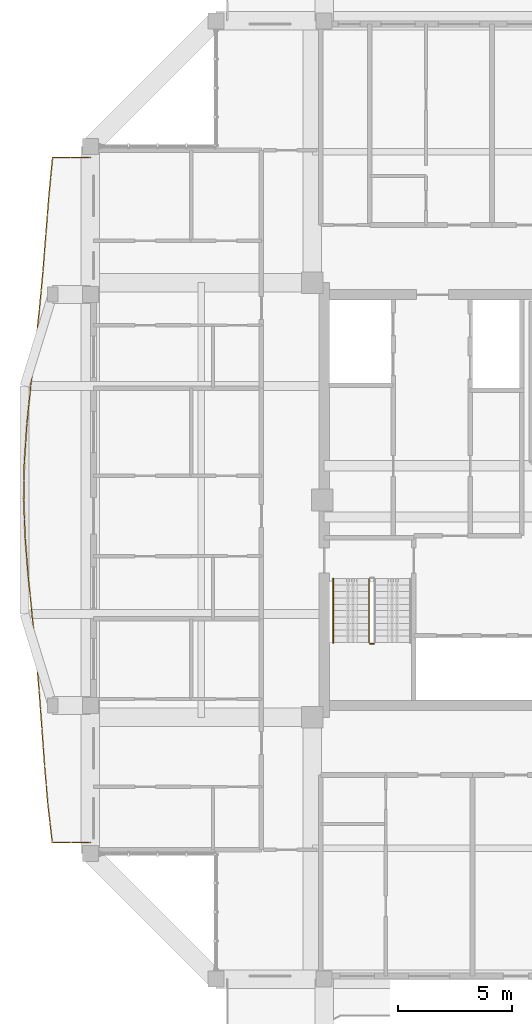
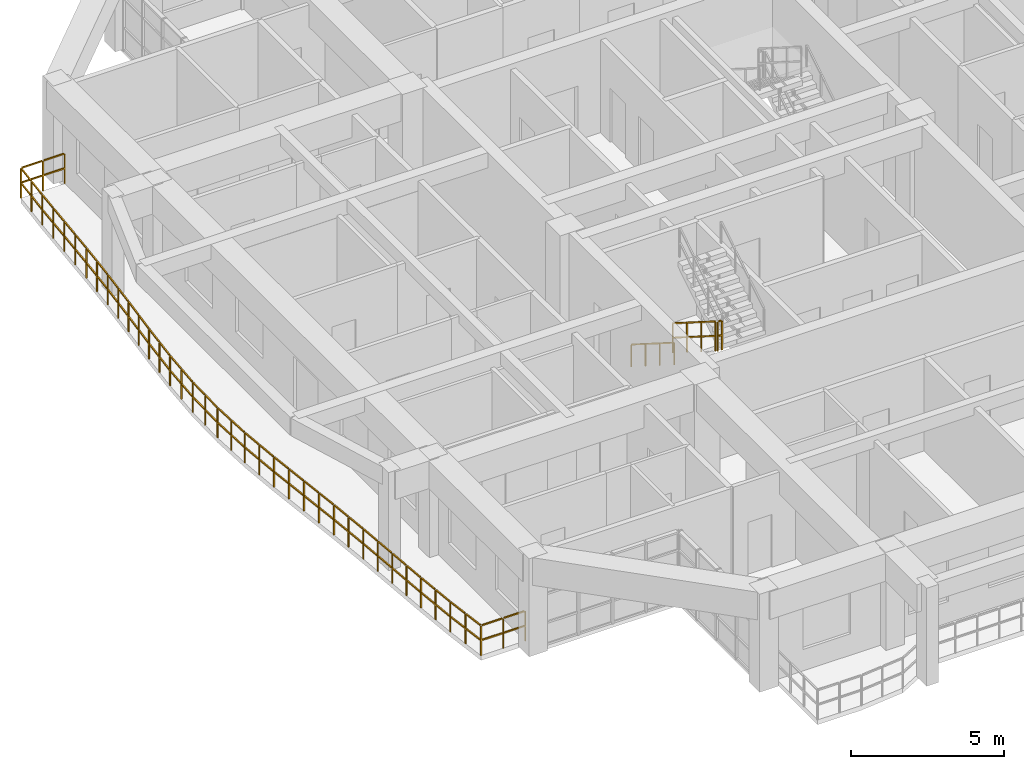
# One storey, part 24 of 27: 4 railings.
"""IFC4 building model written with IfcOpenShell, lengths in metres."""

from ifc_helpers import new_model, si_unit, direction, frame, origin, origin_2d, place, context, subcontext, project, spatial, rectangle, extrude, material, type_object, element, save


model = new_model("IFC4")

# Units and contexts
model_context = context("Model", 3, precision=1e-05, world=origin(), true_north=direction((0.0, 1.0)))
body_context = subcontext(model_context, "Body", "Model", "MODEL_VIEW")
ifc_project = project(units=[si_unit("LENGTHUNIT", "METRE"), si_unit("AREAUNIT", "SQUARE_METRE"), si_unit("VOLUMEUNIT", "CUBIC_METRE"), si_unit("PLANEANGLEUNIT", "RADIAN"), si_unit("MASSUNIT", "GRAM", prefix="KILO")], contexts=[model_context])

# Site, building, storey
site_placement = place(None, origin())
site = spatial("IfcSite", under=ifc_project, at=site_placement, CompositionType="ELEMENT")
building_placement = place(site_placement, origin())
building = spatial("IfcBuilding", under=site, at=building_placement, Name="Saelheon Loggia Tower", CompositionType="ELEMENT")
storey_placement = place(building_placement, frame((0.0, 0.0, 226.199951171875)))
storey = spatial("IfcBuildingStorey", under=building, at=storey_placement, Name="L70", CompositionType="ELEMENT", Elevation=226.199951171875)

# Railings
ifc_material_1 = material(Name="Architectural Precast Concrete and Laminated Glass Guard", Category="concrete")
railing_type_1 = type_object("IfcRailingType", Name="Guard_Loggia_RL_LOG", PredefinedType="BALUSTRADE", material=ifc_material_1)
railing_1_placement = place(storey_placement, frame((21.25, 42.0, 0.0)))
element("IfcRailing", 1, at=railing_1_placement, inside=storey, type_object=railing_type_1, Name="L70 West Loggia Balustrade", PredefinedType="BALUSTRADE", context=body_context, shape_type="SweptSolid", body=[
    extrude(rectangle(XDim=0.048095703125, YDim=0.048095703125, at=origin_2d()), frame((-0.033203125, 0.0, 1.19580078125), z_axis=(-1.0, 0.0, 0.0), x_axis=(0.0, -1.0, 0.0)), (0.0, 0.0, 1.0), 0.76171875),
    extrude(rectangle(XDim=0.048095703125, YDim=0.048095703125, at=origin_2d()), frame((-0.033203125, 0.0, 0.60986328125), z_axis=(-1.0, 0.0, 0.0), x_axis=(0.0, -1.0, 0.0)), (0.0, 0.0, 1.0), 0.76171875),
    extrude(rectangle(XDim=0.048095703125, YDim=0.048095703125, at=origin_2d()), frame((-0.861328125, 0.0, 1.19580078125), z_axis=(-1.0, 0.0, 0.0), x_axis=(0.0, -1.0, 0.0)), (0.0, 0.0, 1.0), 0.76171875),
    extrude(rectangle(XDim=0.048095703125, YDim=0.048095703125, at=origin_2d()), frame((-0.861328125, 0.0, 0.60986328125), z_axis=(-1.0, 0.0, 0.0), x_axis=(0.0, -1.0, 0.0)), (0.0, 0.0, 1.0), 0.76171875),
    extrude(rectangle(XDim=0.048095703125, YDim=0.048095703125, at=origin_2d()), frame((-1.659423828125, -0.033203125, 1.19580078125), z_axis=(-0.095215063938, -0.995456725126, 0.0), x_axis=(0.995456725126, -0.095215063938, 0.0)), (0.0, 0.0, 1.0), 0.770751953125),
    extrude(rectangle(XDim=0.048095703125, YDim=0.048095703125, at=origin_2d()), frame((-1.659423828125, -0.033203125, 0.60986328125), z_axis=(-0.095215063938, -0.995456725126, 0.0), x_axis=(0.995456725126, -0.095215063938, 0.0)), (0.0, 0.0, 1.0), 0.770751953125),
    extrude(rectangle(XDim=0.048095703125, YDim=0.048095703125, at=origin_2d()), frame((-1.739013671875, -0.866455078125, 1.19580078125), z_axis=(-0.095215063938, -0.995456725126, 0.0), x_axis=(0.995456725126, -0.095215063938, 0.0)), (0.0, 0.0, 1.0), 0.770751953125),
    extrude(rectangle(XDim=0.048095703125, YDim=0.048095703125, at=origin_2d()), frame((-1.739013671875, -0.866455078125, 0.60986328125), z_axis=(-0.095215063938, -0.995456725126, 0.0), x_axis=(0.995456725126, -0.095215063938, 0.0)), (0.0, 0.0, 1.0), 0.770751953125),
    extrude(rectangle(XDim=0.048095703125, YDim=0.048095703125, at=origin_2d()), frame((-1.818359375, -1.699951171875, 1.19580078125), z_axis=(-0.078717763251, -0.996896942391, 0.0), x_axis=(0.996896942391, -0.078717763251, 0.0)), (0.0, 0.0, 1.0), 0.769287109375),
    extrude(rectangle(XDim=0.048095703125, YDim=0.048095703125, at=origin_2d()), frame((-1.818359375, -1.699951171875, 0.60986328125), z_axis=(-0.078717763251, -0.996896942391, 0.0), x_axis=(0.996896942391, -0.078717763251, 0.0)), (0.0, 0.0, 1.0), 0.769287109375),
    extrude(rectangle(XDim=0.048095703125, YDim=0.048095703125, at=origin_2d()), frame((-1.884033203125, -2.533203125, 1.19580078125), z_axis=(-0.078717763251, -0.996896942391, 0.0), x_axis=(0.996896942391, -0.078717763251, 0.0)), (0.0, 0.0, 1.0), 0.769287109375),
    extrude(rectangle(XDim=0.048095703125, YDim=0.048095703125, at=origin_2d()), frame((-1.884033203125, -2.533203125, 0.60986328125), z_axis=(-0.078717763251, -0.996896942391, 0.0), x_axis=(0.996896942391, -0.078717763251, 0.0)), (0.0, 0.0, 1.0), 0.769287109375),
    extrude(rectangle(XDim=0.048095703125, YDim=0.048095703125, at=origin_2d()), frame((-1.949951171875, -3.366455078125, 1.19580078125), z_axis=(-0.078851420083, -0.996886379459, 0.0), x_axis=(0.996886379459, -0.078851420083, 0.0)), (0.0, 0.0, 1.0), 0.76953125),
    extrude(rectangle(XDim=0.048095703125, YDim=0.048095703125, at=origin_2d()), frame((-1.949951171875, -3.366455078125, 0.60986328125), z_axis=(-0.078851420083, -0.996886379459, 0.0), x_axis=(0.996886379459, -0.078851420083, 0.0)), (0.0, 0.0, 1.0), 0.76953125),
    extrude(rectangle(XDim=0.048095703125, YDim=0.048095703125, at=origin_2d()), frame((-2.015869140625, -4.19970703125, 1.19580078125), z_axis=(-0.078851420083, -0.996886379459, 0.0), x_axis=(0.996886379459, -0.078851420083, 0.0)), (0.0, 0.0, 1.0), 0.76953125),
    extrude(rectangle(XDim=0.048095703125, YDim=0.048095703125, at=origin_2d()), frame((-2.015869140625, -4.19970703125, 0.60986328125), z_axis=(-0.078851420083, -0.996886379459, 0.0), x_axis=(0.996886379459, -0.078851420083, 0.0)), (0.0, 0.0, 1.0), 0.76953125),
    extrude(rectangle(XDim=0.048095703125, YDim=0.048095703125, at=origin_2d()), frame((-2.082275390625, -5.033203125, 1.19580078125), z_axis=(-0.092179464317, -0.995742409641, 0.0), x_axis=(0.995742409641, -0.092179464317, 0.0)), (0.0, 0.0, 1.0), 0.7705078125),
    extrude(rectangle(XDim=0.048095703125, YDim=0.048095703125, at=origin_2d()), frame((-2.082275390625, -5.033203125, 0.60986328125), z_axis=(-0.092179464317, -0.995742409641, 0.0), x_axis=(0.995742409641, -0.092179464317, 0.0)), (0.0, 0.0, 1.0), 0.7705078125),
    extrude(rectangle(XDim=0.048095703125, YDim=0.048095703125, at=origin_2d()), frame((-2.159423828125, -5.866455078125, 1.19580078125), z_axis=(-0.092179464317, -0.995742409641, 0.0), x_axis=(0.995742409641, -0.092179464317, 0.0)), (0.0, 0.0, 1.0), 0.7705078125),
    extrude(rectangle(XDim=0.048095703125, YDim=0.048095703125, at=origin_2d()), frame((-2.159423828125, -5.866455078125, 0.60986328125), z_axis=(-0.092179464317, -0.995742409641, 0.0), x_axis=(0.995742409641, -0.092179464317, 0.0)), (0.0, 0.0, 1.0), 0.7705078125),
    extrude(rectangle(XDim=0.048095703125, YDim=0.048095703125, at=origin_2d()), frame((-2.237060546875, -6.69970703125, 1.19580078125), z_axis=(-0.108641144333, -0.994081033799, 0.0), x_axis=(0.994081033799, -0.108641144333, 0.0)), (0.0, 0.0, 1.0), 0.771728515625),
    extrude(rectangle(XDim=0.048095703125, YDim=0.048095703125, at=origin_2d()), frame((-2.237060546875, -6.69970703125, 0.60986328125), z_axis=(-0.108641144333, -0.994081033799, 0.0), x_axis=(0.994081033799, -0.108641144333, 0.0)), (0.0, 0.0, 1.0), 0.771728515625),
    extrude(rectangle(XDim=0.048095703125, YDim=0.048095703125, at=origin_2d()), frame((-2.328125, -7.532958984375, 1.19580078125), z_axis=(-0.108641144333, -0.994081033799, 0.0), x_axis=(0.994081033799, -0.108641144333, 0.0)), (0.0, 0.0, 1.0), 0.771728515625),
    extrude(rectangle(XDim=0.048095703125, YDim=0.048095703125, at=origin_2d()), frame((-2.328125, -7.532958984375, 0.60986328125), z_axis=(-0.108641144333, -0.994081033799, 0.0), x_axis=(0.994081033799, -0.108641144333, 0.0)), (0.0, 0.0, 1.0), 0.771728515625),
    extrude(rectangle(XDim=0.048095703125, YDim=0.048095703125, at=origin_2d()), frame((-2.41943359375, -8.3662109375, 1.19580078125), z_axis=(-0.11494995089, -0.99337128446, 0.0), x_axis=(0.99337128446, -0.11494995089, 0.0)), (0.0, 0.0, 1.0), 0.7724609375),
    extrude(rectangle(XDim=0.048095703125, YDim=0.048095703125, at=origin_2d()), frame((-2.41943359375, -8.3662109375, 0.60986328125), z_axis=(-0.11494995089, -0.99337128446, 0.0), x_axis=(0.99337128446, -0.11494995089, 0.0)), (0.0, 0.0, 1.0), 0.7724609375),
    extrude(rectangle(XDim=0.048095703125, YDim=0.048095703125, at=origin_2d()), frame((-2.515869140625, -9.19970703125, 1.19580078125), z_axis=(-0.11494995089, -0.99337128446, 0.0), x_axis=(0.99337128446, -0.11494995089, 0.0)), (0.0, 0.0, 1.0), 0.7724609375),
    extrude(rectangle(XDim=0.048095703125, YDim=0.048095703125, at=origin_2d()), frame((-2.515869140625, -9.19970703125, 0.60986328125), z_axis=(-0.11494995089, -0.99337128446, 0.0), x_axis=(0.99337128446, -0.11494995089, 0.0)), (0.0, 0.0, 1.0), 0.7724609375),
    extrude(rectangle(XDim=0.048095703125, YDim=0.048095703125, at=origin_2d()), frame((-2.61181640625, -10.032958984375, 1.19580078125), z_axis=(-0.101855086203, -0.99479924679, 0.0), x_axis=(0.99479924679, -0.101855086203, 0.0)), (0.0, 0.0, 1.0), 0.771240234375),
    extrude(rectangle(XDim=0.048095703125, YDim=0.048095703125, at=origin_2d()), frame((-2.61181640625, -10.032958984375, 0.60986328125), z_axis=(-0.101855086203, -0.99479924679, 0.0), x_axis=(0.99479924679, -0.101855086203, 0.0)), (0.0, 0.0, 1.0), 0.771240234375),
    extrude(rectangle(XDim=0.048095703125, YDim=0.048095703125, at=origin_2d()), frame((-2.697021484375, -10.866455078125, 1.19580078125), z_axis=(-0.101855086203, -0.99479924679, 0.0), x_axis=(0.99479924679, -0.101855086203, 0.0)), (0.0, 0.0, 1.0), 0.771240234375),
    extrude(rectangle(XDim=0.048095703125, YDim=0.048095703125, at=origin_2d()), frame((-2.697021484375, -10.866455078125, 0.60986328125), z_axis=(-0.101855086203, -0.99479924679, 0.0), x_axis=(0.99479924679, -0.101855086203, 0.0)), (0.0, 0.0, 1.0), 0.771240234375),
    extrude(rectangle(XDim=0.048095703125, YDim=0.048095703125, at=origin_2d()), frame((-2.78125, -11.699951171875, 1.19580078125), z_axis=(-0.066509308686, -0.997785804598, 0.0), x_axis=(0.997785804598, -0.066509308686, 0.0)), (0.0, 0.0, 1.0), 0.7685546875),
    extrude(rectangle(XDim=0.048095703125, YDim=0.048095703125, at=origin_2d()), frame((-2.78125, -11.699951171875, 0.60986328125), z_axis=(-0.066509308686, -0.997785804598, 0.0), x_axis=(0.997785804598, -0.066509308686, 0.0)), (0.0, 0.0, 1.0), 0.7685546875),
    extrude(rectangle(XDim=0.048095703125, YDim=0.048095703125, at=origin_2d()), frame((-2.8369140625, -12.533203125, 1.19580078125), z_axis=(-0.066509308686, -0.997785804598, 0.0), x_axis=(0.997785804598, -0.066509308686, 0.0)), (0.0, 0.0, 1.0), 0.7685546875),
    extrude(rectangle(XDim=0.048095703125, YDim=0.048095703125, at=origin_2d()), frame((-2.8369140625, -12.533203125, 0.60986328125), z_axis=(-0.066509308686, -0.997785804598, 0.0), x_axis=(0.997785804598, -0.066509308686, 0.0)), (0.0, 0.0, 1.0), 0.7685546875),
    extrude(rectangle(XDim=0.048095703125, YDim=0.048095703125, at=origin_2d()), frame((-2.890625, -13.366455078125, 1.19580078125), z_axis=(-0.015817560951, -0.999874894557, 0.0), x_axis=(0.999874894557, -0.015817560951, 0.0)), (0.0, 0.0, 1.0), 0.76708984375),
    extrude(rectangle(XDim=0.048095703125, YDim=0.048095703125, at=origin_2d()), frame((-2.890625, -13.366455078125, 0.60986328125), z_axis=(-0.015817560951, -0.999874894557, 0.0), x_axis=(0.999874894557, -0.015817560951, 0.0)), (0.0, 0.0, 1.0), 0.76708984375),
    extrude(rectangle(XDim=0.048095703125, YDim=0.048095703125, at=origin_2d()), frame((-2.90380859375, -14.199951171875, 1.19580078125), z_axis=(-0.015817560951, -0.999874894557, 0.0), x_axis=(0.999874894557, -0.015817560951, 0.0)), (0.0, 0.0, 1.0), 0.76708984375),
    extrude(rectangle(XDim=0.048095703125, YDim=0.048095703125, at=origin_2d()), frame((-2.90380859375, -14.199951171875, 0.60986328125), z_axis=(-0.015817560951, -0.999874894557, 0.0), x_axis=(0.999874894557, -0.015817560951, 0.0)), (0.0, 0.0, 1.0), 0.76708984375),
    extrude(rectangle(XDim=0.048095703125, YDim=0.048095703125, at=origin_2d()), frame((-2.915283203125, -15.033203125, 1.19580078125), z_axis=(0.037179491042, -0.999308603709, 0.0), x_axis=(0.999308603709, 0.037179491042, 0.0)), (0.0, 0.0, 1.0), 0.767578125),
    extrude(rectangle(XDim=0.048095703125, YDim=0.048095703125, at=origin_2d()), frame((-2.915283203125, -15.033203125, 0.60986328125), z_axis=(0.037179491042, -0.999308603709, 0.0), x_axis=(0.999308603709, 0.037179491042, 0.0)), (0.0, 0.0, 1.0), 0.767578125),
    extrude(rectangle(XDim=0.048095703125, YDim=0.048095703125, at=origin_2d()), frame((-2.88427734375, -15.86669921875, 1.19580078125), z_axis=(0.037179491042, -0.999308603709, 0.0), x_axis=(0.999308603709, 0.037179491042, 0.0)), (0.0, 0.0, 1.0), 0.767578125),
    extrude(rectangle(XDim=0.048095703125, YDim=0.048095703125, at=origin_2d()), frame((-2.88427734375, -15.86669921875, 0.60986328125), z_axis=(0.037179491042, -0.999308603709, 0.0), x_axis=(0.999308603709, 0.037179491042, 0.0)), (0.0, 0.0, 1.0), 0.767578125),
    extrude(rectangle(XDim=0.048095703125, YDim=0.048095703125, at=origin_2d()), frame((-2.851806640625, -16.699951171875, 1.19580078125), z_axis=(0.078717763251, -0.996896942391, 0.0), x_axis=(0.996896942391, 0.078717763251, 0.0)), (0.0, 0.0, 1.0), 0.769287109375),
    extrude(rectangle(XDim=0.048095703125, YDim=0.048095703125, at=origin_2d()), frame((-2.851806640625, -16.699951171875, 0.60986328125), z_axis=(0.078717763251, -0.996896942391, 0.0), x_axis=(0.996896942391, 0.078717763251, 0.0)), (0.0, 0.0, 1.0), 0.769287109375),
    extrude(rectangle(XDim=0.048095703125, YDim=0.048095703125, at=origin_2d()), frame((-2.7861328125, -17.533203125, 1.19580078125), z_axis=(0.078717763251, -0.996896942391, 0.0), x_axis=(0.996896942391, 0.078717763251, 0.0)), (0.0, 0.0, 1.0), 0.769287109375),
    extrude(rectangle(XDim=0.048095703125, YDim=0.048095703125, at=origin_2d()), frame((-2.7861328125, -17.533203125, 0.60986328125), z_axis=(0.078717763251, -0.996896942391, 0.0), x_axis=(0.996896942391, 0.078717763251, 0.0)), (0.0, 0.0, 1.0), 0.769287109375),
    extrude(rectangle(XDim=0.048095703125, YDim=0.048095703125, at=origin_2d()), frame((-2.719482421875, -18.3662109375, 1.19580078125), z_axis=(0.099258387695, -0.995061692797, 0.0), x_axis=(0.995061692797, 0.099258387695, 0.0)), (0.0, 0.0, 1.0), 0.77099609375),
    extrude(rectangle(XDim=0.048095703125, YDim=0.048095703125, at=origin_2d()), frame((-2.719482421875, -18.3662109375, 0.60986328125), z_axis=(0.099258387695, -0.995061692797, 0.0), x_axis=(0.995061692797, 0.099258387695, 0.0)), (0.0, 0.0, 1.0), 0.77099609375),
    extrude(rectangle(XDim=0.048095703125, YDim=0.048095703125, at=origin_2d()), frame((-2.636474609375, -19.19970703125, 1.19580078125), z_axis=(0.099258387695, -0.995061692797, 0.0), x_axis=(0.995061692797, 0.099258387695, 0.0)), (0.0, 0.0, 1.0), 0.77099609375),
    extrude(rectangle(XDim=0.048095703125, YDim=0.048095703125, at=origin_2d()), frame((-2.636474609375, -19.19970703125, 0.60986328125), z_axis=(0.099258387695, -0.995061692797, 0.0), x_axis=(0.995061692797, 0.099258387695, 0.0)), (0.0, 0.0, 1.0), 0.77099609375),
    extrude(rectangle(XDim=0.048095703125, YDim=0.048095703125, at=origin_2d()), frame((-2.55322265625, -20.032958984375, 1.19580078125), z_axis=(0.099258387695, -0.995061692797, 0.0), x_axis=(0.995061692797, 0.099258387695, 0.0)), (0.0, 0.0, 1.0), 0.77099609375),
    extrude(rectangle(XDim=0.048095703125, YDim=0.048095703125, at=origin_2d()), frame((-2.55322265625, -20.032958984375, 0.60986328125), z_axis=(0.099258387695, -0.995061692797, 0.0), x_axis=(0.995061692797, 0.099258387695, 0.0)), (0.0, 0.0, 1.0), 0.77099609375),
    extrude(rectangle(XDim=0.048095703125, YDim=0.048095703125, at=origin_2d()), frame((-2.47021484375, -20.866455078125, 1.19580078125), z_axis=(0.099258387695, -0.995061692797, 0.0), x_axis=(0.995061692797, 0.099258387695, 0.0)), (0.0, 0.0, 1.0), 0.77099609375),
    extrude(rectangle(XDim=0.048095703125, YDim=0.048095703125, at=origin_2d()), frame((-2.47021484375, -20.866455078125, 0.60986328125), z_axis=(0.099258387695, -0.995061692797, 0.0), x_axis=(0.995061692797, 0.099258387695, 0.0)), (0.0, 0.0, 1.0), 0.77099609375),
    extrude(rectangle(XDim=0.048095703125, YDim=0.048095703125, at=origin_2d()), frame((-2.387451171875, -21.699951171875, 1.19580078125), z_axis=(0.086402883771, -0.996260278078, 0.0), x_axis=(0.996260278078, 0.086402883771, 0.0)), (0.0, 0.0, 1.0), 0.77001953125),
    extrude(rectangle(XDim=0.048095703125, YDim=0.048095703125, at=origin_2d()), frame((-2.387451171875, -21.699951171875, 0.60986328125), z_axis=(0.086402883771, -0.996260278078, 0.0), x_axis=(0.996260278078, 0.086402883771, 0.0)), (0.0, 0.0, 1.0), 0.77001953125),
    extrude(rectangle(XDim=0.048095703125, YDim=0.048095703125, at=origin_2d()), frame((-2.315185546875, -22.533203125, 1.19580078125), z_axis=(0.086402883771, -0.996260278078, 0.0), x_axis=(0.996260278078, 0.086402883771, 0.0)), (0.0, 0.0, 1.0), 0.77001953125),
    extrude(rectangle(XDim=0.048095703125, YDim=0.048095703125, at=origin_2d()), frame((-2.315185546875, -22.533203125, 0.60986328125), z_axis=(0.086402883771, -0.996260278078, 0.0), x_axis=(0.996260278078, 0.086402883771, 0.0)), (0.0, 0.0, 1.0), 0.77001953125),
    extrude(rectangle(XDim=0.048095703125, YDim=0.048095703125, at=origin_2d()), frame((-2.243408203125, -23.366455078125, 1.19580078125), z_axis=(0.073188280205, -0.997318141638, 0.0), x_axis=(0.997318141638, 0.073188280205, 0.0)), (0.0, 0.0, 1.0), 0.76904296875),
    extrude(rectangle(XDim=0.048095703125, YDim=0.048095703125, at=origin_2d()), frame((-2.243408203125, -23.366455078125, 0.60986328125), z_axis=(0.073188280205, -0.997318141638, 0.0), x_axis=(0.997318141638, 0.073188280205, 0.0)), (0.0, 0.0, 1.0), 0.76904296875),
    extrude(rectangle(XDim=0.048095703125, YDim=0.048095703125, at=origin_2d()), frame((-2.182373046875, -24.19970703125, 1.19580078125), z_axis=(0.073188280205, -0.997318141638, 0.0), x_axis=(0.997318141638, 0.073188280205, 0.0)), (0.0, 0.0, 1.0), 0.76904296875),
    extrude(rectangle(XDim=0.048095703125, YDim=0.048095703125, at=origin_2d()), frame((-2.182373046875, -24.19970703125, 0.60986328125), z_axis=(0.073188280205, -0.997318141638, 0.0), x_axis=(0.997318141638, 0.073188280205, 0.0)), (0.0, 0.0, 1.0), 0.76904296875),
    extrude(rectangle(XDim=0.048095703125, YDim=0.048095703125, at=origin_2d()), frame((-2.12109375, -25.033203125, 1.19580078125), z_axis=(0.071153601195, -0.997465370345, 0.0), x_axis=(0.997465370345, 0.071153601195, 0.0)), (0.0, 0.0, 1.0), 0.76904296875),
    extrude(rectangle(XDim=0.048095703125, YDim=0.048095703125, at=origin_2d()), frame((-2.12109375, -25.033203125, 0.60986328125), z_axis=(0.071153601195, -0.997465370345, 0.0), x_axis=(0.997465370345, 0.071153601195, 0.0)), (0.0, 0.0, 1.0), 0.76904296875),
    extrude(rectangle(XDim=0.048095703125, YDim=0.048095703125, at=origin_2d()), frame((-2.061767578125, -25.866455078125, 1.19580078125), z_axis=(0.071153601195, -0.997465370345, 0.0), x_axis=(0.997465370345, 0.071153601195, 0.0)), (0.0, 0.0, 1.0), 0.76904296875),
    extrude(rectangle(XDim=0.048095703125, YDim=0.048095703125, at=origin_2d()), frame((-2.061767578125, -25.866455078125, 0.60986328125), z_axis=(0.071153601195, -0.997465370345, 0.0), x_axis=(0.997465370345, 0.071153601195, 0.0)), (0.0, 0.0, 1.0), 0.76904296875),
    extrude(rectangle(XDim=0.048095703125, YDim=0.048095703125, at=origin_2d()), frame((-2.001708984375, -26.699951171875, 1.19580078125), z_axis=(0.085823395114, -0.996310365725, 0.0), x_axis=(0.996310365725, 0.085823395114, 0.0)), (0.0, 0.0, 1.0), 0.769775390625),
    extrude(rectangle(XDim=0.048095703125, YDim=0.048095703125, at=origin_2d()), frame((-2.001708984375, -26.699951171875, 0.60986328125), z_axis=(0.085823395114, -0.996310365725, 0.0), x_axis=(0.996310365725, 0.085823395114, 0.0)), (0.0, 0.0, 1.0), 0.769775390625),
    extrude(rectangle(XDim=0.048095703125, YDim=0.048095703125, at=origin_2d()), frame((-1.929931640625, -27.533203125, 1.19580078125), z_axis=(0.085823395114, -0.996310365725, 0.0), x_axis=(0.996310365725, 0.085823395114, 0.0)), (0.0, 0.0, 1.0), 0.769775390625),
    extrude(rectangle(XDim=0.048095703125, YDim=0.048095703125, at=origin_2d()), frame((-1.929931640625, -27.533203125, 0.60986328125), z_axis=(0.085823395114, -0.996310365725, 0.0), x_axis=(0.996310365725, 0.085823395114, 0.0)), (0.0, 0.0, 1.0), 0.769775390625),
    extrude(rectangle(XDim=0.048095703125, YDim=0.048095703125, at=origin_2d()), frame((-1.857177734375, -28.3662109375, 1.19580078125), z_axis=(0.113944689513, -0.993487094899, 0.0), x_axis=(0.993487094899, 0.113944689513, 0.0)), (0.0, 0.0, 1.0), 0.7724609375),
    extrude(rectangle(XDim=0.048095703125, YDim=0.048095703125, at=origin_2d()), frame((-1.857177734375, -28.3662109375, 0.60986328125), z_axis=(0.113944689513, -0.993487094899, 0.0), x_axis=(0.993487094899, 0.113944689513, 0.0)), (0.0, 0.0, 1.0), 0.7724609375),
    extrude(rectangle(XDim=0.048095703125, YDim=0.048095703125, at=origin_2d()), frame((-1.76171875, -29.19970703125, 1.19580078125), z_axis=(0.113944689513, -0.993487094899, 0.0), x_axis=(0.993487094899, 0.113944689513, 0.0)), (0.0, 0.0, 1.0), 0.7724609375),
    extrude(rectangle(XDim=0.048095703125, YDim=0.048095703125, at=origin_2d()), frame((-1.76171875, -29.19970703125, 0.60986328125), z_axis=(0.113944689513, -0.993487094899, 0.0), x_axis=(0.993487094899, 0.113944689513, 0.0)), (0.0, 0.0, 1.0), 0.7724609375),
    extrude(rectangle(XDim=0.048095703125, YDim=0.048095703125, at=origin_2d()), frame((-1.63671875, -30.0, 1.19580078125), z_axis=(1.0, 0.0, 0.0), x_axis=(0.0, 1.0, 0.0)), (0.0, 0.0, 1.0), 0.7685546875),
    extrude(rectangle(XDim=0.048095703125, YDim=0.048095703125, at=origin_2d()), frame((-1.63671875, -30.0, 0.60986328125), z_axis=(1.0, 0.0, 0.0), x_axis=(0.0, 1.0, 0.0)), (0.0, 0.0, 1.0), 0.7685546875),
    extrude(rectangle(XDim=0.048095703125, YDim=0.048095703125, at=origin_2d()), frame((-0.8017578125, -30.0, 1.19580078125), z_axis=(1.0, 0.0, 0.0), x_axis=(0.0, 1.0, 0.0)), (0.0, 0.0, 1.0), 0.7685546875),
    extrude(rectangle(XDim=0.048095703125, YDim=0.048095703125, at=origin_2d()), frame((-0.8017578125, -30.0, 0.60986328125), z_axis=(1.0, 0.0, 0.0), x_axis=(0.0, 1.0, 0.0)), (0.0, 0.0, 1.0), 0.7685546875),
    extrude(rectangle(XDim=0.0419921875, YDim=0.0419921875, at=origin_2d()), origin(), (0.0, 0.0, 1.0), 1.16796875),
    extrude(rectangle(XDim=0.0419921875, YDim=0.0419921875, at=origin_2d()), frame((-0.828125, 0.0, 0.0)), (0.0, 0.0, 1.0), 1.16796875),
    extrude(rectangle(XDim=0.0419921875, YDim=0.0419921875, at=origin_2d()), frame((-1.65625, 0.0, 0.0)), (0.0, 0.0, 1.0), 1.16796875),
    extrude(rectangle(XDim=0.0419921875, YDim=0.0419921875, at=origin_2d()), frame((-1.73583984375, -0.83349609375, 0.0)), (0.0, 0.0, 1.0), 1.16796875),
    extrude(rectangle(XDim=0.0419921875, YDim=0.0419921875, at=origin_2d()), frame((-1.815673828125, -1.666748046875, 0.0)), (0.0, 0.0, 1.0), 1.16796875),
    extrude(rectangle(XDim=0.0419921875, YDim=0.0419921875, at=origin_2d()), frame((-1.88134765625, -2.5, 0.0)), (0.0, 0.0, 1.0), 1.16796875),
    extrude(rectangle(XDim=0.0419921875, YDim=0.0419921875, at=origin_2d()), frame((-1.947265625, -3.333251953125, 0.0)), (0.0, 0.0, 1.0), 1.16796875),
    extrude(rectangle(XDim=0.0419921875, YDim=0.0419921875, at=origin_2d()), frame((-2.01318359375, -4.16650390625, 0.0)), (0.0, 0.0, 1.0), 1.16796875),
    extrude(rectangle(XDim=0.0419921875, YDim=0.0419921875, at=origin_2d()), frame((-2.0791015625, -5.0, 0.0)), (0.0, 0.0, 1.0), 1.16796875),
    extrude(rectangle(XDim=0.0419921875, YDim=0.0419921875, at=origin_2d()), frame((-2.15625, -5.83349609375, 0.0)), (0.0, 0.0, 1.0), 1.16796875),
    extrude(rectangle(XDim=0.0419921875, YDim=0.0419921875, at=origin_2d()), frame((-2.2333984375, -6.666748046875, 0.0)), (0.0, 0.0, 1.0), 1.16796875),
    extrude(rectangle(XDim=0.0419921875, YDim=0.0419921875, at=origin_2d()), frame((-2.324462890625, -7.5, 0.0)), (0.0, 0.0, 1.0), 1.16796875),
    extrude(rectangle(XDim=0.0419921875, YDim=0.0419921875, at=origin_2d()), frame((-2.41552734375, -8.333251953125, 0.0)), (0.0, 0.0, 1.0), 1.16796875),
    extrude(rectangle(XDim=0.0419921875, YDim=0.0419921875, at=origin_2d()), frame((-2.511962890625, -9.16650390625, 0.0)), (0.0, 0.0, 1.0), 1.16796875),
    extrude(rectangle(XDim=0.0419921875, YDim=0.0419921875, at=origin_2d()), frame((-2.6083984375, -10.0, 0.0)), (0.0, 0.0, 1.0), 1.16796875),
    extrude(rectangle(XDim=0.0419921875, YDim=0.0419921875, at=origin_2d()), frame((-2.69384765625, -10.83349609375, 0.0)), (0.0, 0.0, 1.0), 1.16796875),
    extrude(rectangle(XDim=0.0419921875, YDim=0.0419921875, at=origin_2d()), frame((-2.779052734375, -11.666748046875, 0.0)), (0.0, 0.0, 1.0), 1.16796875),
    extrude(rectangle(XDim=0.0419921875, YDim=0.0419921875, at=origin_2d()), frame((-2.83447265625, -12.5, 0.0)), (0.0, 0.0, 1.0), 1.16796875),
    extrude(rectangle(XDim=0.0419921875, YDim=0.0419921875, at=origin_2d()), frame((-2.89013671875, -13.333251953125, 0.0)), (0.0, 0.0, 1.0), 1.16796875),
    extrude(rectangle(XDim=0.0419921875, YDim=0.0419921875, at=origin_2d()), frame((-2.9033203125, -14.16650390625, 0.0)), (0.0, 0.0, 1.0), 1.16796875),
    extrude(rectangle(XDim=0.0419921875, YDim=0.0419921875, at=origin_2d()), frame((-2.91650390625, -15.0, 0.0)), (0.0, 0.0, 1.0), 1.16796875),
    extrude(rectangle(XDim=0.0419921875, YDim=0.0419921875, at=origin_2d()), frame((-2.885498046875, -15.83349609375, 0.0)), (0.0, 0.0, 1.0), 1.16796875),
    extrude(rectangle(XDim=0.0419921875, YDim=0.0419921875, at=origin_2d()), frame((-2.8544921875, -16.666748046875, 0.0)), (0.0, 0.0, 1.0), 1.16796875),
    extrude(rectangle(XDim=0.0419921875, YDim=0.0419921875, at=origin_2d()), frame((-2.78857421875, -17.5, 0.0)), (0.0, 0.0, 1.0), 1.16796875),
    extrude(rectangle(XDim=0.0419921875, YDim=0.0419921875, at=origin_2d()), frame((-2.722900390625, -18.333251953125, 0.0)), (0.0, 0.0, 1.0), 1.16796875),
    extrude(rectangle(XDim=0.0419921875, YDim=0.0419921875, at=origin_2d()), frame((-2.6396484375, -19.16650390625, 0.0)), (0.0, 0.0, 1.0), 1.16796875),
    extrude(rectangle(XDim=0.0419921875, YDim=0.0419921875, at=origin_2d()), frame((-2.556640625, -20.0, 0.0)), (0.0, 0.0, 1.0), 1.16796875),
    extrude(rectangle(XDim=0.0419921875, YDim=0.0419921875, at=origin_2d()), frame((-2.4736328125, -20.83349609375, 0.0)), (0.0, 0.0, 1.0), 1.16796875),
    extrude(rectangle(XDim=0.0419921875, YDim=0.0419921875, at=origin_2d()), frame((-2.390380859375, -21.666748046875, 0.0)), (0.0, 0.0, 1.0), 1.16796875),
    extrude(rectangle(XDim=0.0419921875, YDim=0.0419921875, at=origin_2d()), frame((-2.318115234375, -22.5, 0.0)), (0.0, 0.0, 1.0), 1.16796875),
    extrude(rectangle(XDim=0.0419921875, YDim=0.0419921875, at=origin_2d()), frame((-2.245849609375, -23.333251953125, 0.0)), (0.0, 0.0, 1.0), 1.16796875),
    extrude(rectangle(XDim=0.0419921875, YDim=0.0419921875, at=origin_2d()), frame((-2.1845703125, -24.16650390625, 0.0)), (0.0, 0.0, 1.0), 1.16796875),
    extrude(rectangle(XDim=0.0419921875, YDim=0.0419921875, at=origin_2d()), frame((-2.12353515625, -25.0, 0.0)), (0.0, 0.0, 1.0), 1.16796875),
    extrude(rectangle(XDim=0.0419921875, YDim=0.0419921875, at=origin_2d()), frame((-2.06396484375, -25.83349609375, 0.0)), (0.0, 0.0, 1.0), 1.16796875),
    extrude(rectangle(XDim=0.0419921875, YDim=0.0419921875, at=origin_2d()), frame((-2.004638671875, -26.666748046875, 0.0)), (0.0, 0.0, 1.0), 1.16796875),
    extrude(rectangle(XDim=0.0419921875, YDim=0.0419921875, at=origin_2d()), frame((-1.932861328125, -27.5, 0.0)), (0.0, 0.0, 1.0), 1.16796875),
    extrude(rectangle(XDim=0.0419921875, YDim=0.0419921875, at=origin_2d()), frame((-1.861083984375, -28.333251953125, 0.0)), (0.0, 0.0, 1.0), 1.16796875),
    extrude(rectangle(XDim=0.0419921875, YDim=0.0419921875, at=origin_2d()), frame((-1.765625, -29.16650390625, 0.0)), (0.0, 0.0, 1.0), 1.16796875),
    extrude(rectangle(XDim=0.0419921875, YDim=0.0419921875, at=origin_2d()), frame((-1.669921875, -30.0, 0.0)), (0.0, 0.0, 1.0), 1.16796875),
    extrude(rectangle(XDim=0.0419921875, YDim=0.0419921875, at=origin_2d()), frame((-0.8349609375, -30.0, 0.0)), (0.0, 0.0, 1.0), 1.16796875),
    extrude(rectangle(XDim=0.0419921875, YDim=0.0419921875, at=origin_2d()), frame((0.0, -30.0, 0.0)), (0.0, 0.0, 1.0), 1.16796875),
])
ifc_material_2 = material(Name="Galvanised Steel S275 Stairwell Guardrail", Category="steel")
railing_type_2 = type_object("IfcRailingType", Name="Guard_StairWell_RL_STG", PredefinedType="GUARDRAIL", material=ifc_material_2)
railing_2_placement = place(storey_placement, frame((33.4599609375, 23.550048828125, 0.17724609375)))
element("IfcRailing", 2, at=railing_2_placement, inside=storey, type_object=railing_type_2, Name="L70 ST1 stair guard 1", PredefinedType="GUARDRAIL", context=body_context, shape_type="SweptSolid", body=[
    extrude(rectangle(XDim=0.048095703125, YDim=0.048095703125, at=origin_2d()), frame((0.0, -0.028076171875, 1.193603515625), z_axis=(0.0, -0.844908973607, 0.534910110503), x_axis=(1.0, 0.0, 0.0)), (0.0, 0.0, 1.0), 1.0380859375),
    extrude(rectangle(XDim=0.048095703125, YDim=0.048095703125, at=origin_2d()), frame((0.0, -0.028076171875, 0.61767578125), z_axis=(0.0, -0.844908973607, 0.534910110503), x_axis=(1.0, 0.0, 0.0)), (0.0, 0.0, 1.0), 1.0380859375),
    extrude(rectangle(XDim=0.048095703125, YDim=0.048095703125, at=origin_2d()), frame((0.0, -0.96142578125, 1.78466796875), z_axis=(0.0, -0.844908973607, 0.534910110503), x_axis=(1.0, 0.0, 0.0)), (0.0, 0.0, 1.0), 1.0380859375),
    extrude(rectangle(XDim=0.048095703125, YDim=0.048095703125, at=origin_2d()), frame((0.0, -0.96142578125, 1.208740234375), z_axis=(0.0, -0.844908973607, 0.534910110503), x_axis=(1.0, 0.0, 0.0)), (0.0, 0.0, 1.0), 1.0380859375),
    extrude(rectangle(XDim=0.048095703125, YDim=0.048095703125, at=origin_2d()), frame((0.0, -1.894775390625, 2.37548828125), z_axis=(0.0, -0.844908973607, 0.534910110503), x_axis=(1.0, 0.0, 0.0)), (0.0, 0.0, 1.0), 1.0380859375),
    extrude(rectangle(XDim=0.048095703125, YDim=0.048095703125, at=origin_2d()), frame((0.0, -1.894775390625, 1.799560546875), z_axis=(0.0, -0.844908973607, 0.534910110503), x_axis=(1.0, 0.0, 0.0)), (0.0, 0.0, 1.0), 1.0380859375),
    extrude(rectangle(XDim=0.0419921875, YDim=0.0419921875, at=origin_2d()), origin(), (0.0, 0.0, 1.0), 1.14794921875),
    extrude(rectangle(XDim=0.0419921875, YDim=0.0419921875, at=origin_2d()), frame((0.0, -0.933349609375, 0.5908203125)), (0.0, 0.0, 1.0), 1.14794921875),
    extrude(rectangle(XDim=0.0419921875, YDim=0.0419921875, at=origin_2d()), frame((0.0, -1.86669921875, 1.181884765625)), (0.0, 0.0, 1.0), 1.14794921875),
    extrude(rectangle(XDim=0.0419921875, YDim=0.0419921875, at=origin_2d()), frame((0.0, -2.800048828125, 1.772705078125)), (0.0, 0.0, 1.0), 1.14794921875),
])
railing_3_placement = place(storey_placement, frame((33.510009765625, 20.699951171875, 1.949951171875)))
element("IfcRailing", 3, at=railing_3_placement, inside=storey, type_object=railing_type_2, Name="L70 ST1 stair guard 2", PredefinedType="GUARDRAIL", context=body_context, shape_type="SweptSolid", body=[
    extrude(rectangle(XDim=0.048095703125, YDim=0.048095703125, at=origin_2d()), frame((0.033203125, 0.0, 1.17578125), z_axis=(1.0, 0.0, 0.0), x_axis=(0.0, 1.0, 0.0)), (0.0, 0.0, 1.0), 0.093505859375),
    extrude(rectangle(XDim=0.048095703125, YDim=0.048095703125, at=origin_2d()), frame((0.033203125, 0.0, 0.60009765625), z_axis=(1.0, 0.0, 0.0), x_axis=(0.0, 1.0, 0.0)), (0.0, 0.0, 1.0), 0.093505859375),
    extrude(rectangle(XDim=0.0419921875, YDim=0.0419921875, at=origin_2d()), origin(), (0.0, 0.0, 1.0), 1.14794921875),
    extrude(rectangle(XDim=0.0419921875, YDim=0.0419921875, at=origin_2d()), frame((0.159912109375, 0.0, 0.0)), (0.0, 0.0, 1.0), 1.14794921875),
])
ifc_material_3 = material(Name="Stainless Steel 304 Tubular Handrail", Category="steel")
railing_type_3 = type_object("IfcRailingType", Name="Handrail_Stair_RL_HR1", PredefinedType="HANDRAIL", material=ifc_material_3)
railing_4_placement = place(storey_placement, frame((31.89990234375, 23.550048828125, 0.17724609375)))
element("IfcRailing", 4, at=railing_4_placement, inside=storey, type_object=railing_type_3, Name="L70 ST1 stair handrail 1", PredefinedType="HANDRAIL", context=body_context, shape_type="SweptSolid", body=[
    extrude(rectangle(XDim=0.048095703125, YDim=0.048095703125, at=origin_2d()), frame((0.0, -0.028076171875, 0.8935546875), z_axis=(0.0, -0.844908973607, 0.534910110503), x_axis=(1.0, 0.0, 0.0)), (0.0, 0.0, 1.0), 1.0380859375),
    extrude(rectangle(XDim=0.048095703125, YDim=0.048095703125, at=origin_2d()), frame((0.0, -0.96142578125, 1.484619140625), z_axis=(0.0, -0.844908973607, 0.534910110503), x_axis=(1.0, 0.0, 0.0)), (0.0, 0.0, 1.0), 1.0380859375),
    extrude(rectangle(XDim=0.048095703125, YDim=0.048095703125, at=origin_2d()), frame((0.0, -1.894775390625, 2.075439453125), z_axis=(0.0, -0.844908973607, 0.534910110503), x_axis=(1.0, 0.0, 0.0)), (0.0, 0.0, 1.0), 1.0380859375),
    extrude(rectangle(XDim=0.0419921875, YDim=0.0419921875, at=origin_2d()), origin(), (0.0, 0.0, 1.0), 0.847900390625),
    extrude(rectangle(XDim=0.0419921875, YDim=0.0419921875, at=origin_2d()), frame((0.0, -0.933349609375, 0.5908203125)), (0.0, 0.0, 1.0), 0.847900390625),
    extrude(rectangle(XDim=0.0419921875, YDim=0.0419921875, at=origin_2d()), frame((0.0, -1.86669921875, 1.181884765625)), (0.0, 0.0, 1.0), 0.847900390625),
    extrude(rectangle(XDim=0.0419921875, YDim=0.0419921875, at=origin_2d()), frame((0.0, -2.800048828125, 1.772705078125)), (0.0, 0.0, 1.0), 0.847900390625),
])

save(model, "model.ifc")
